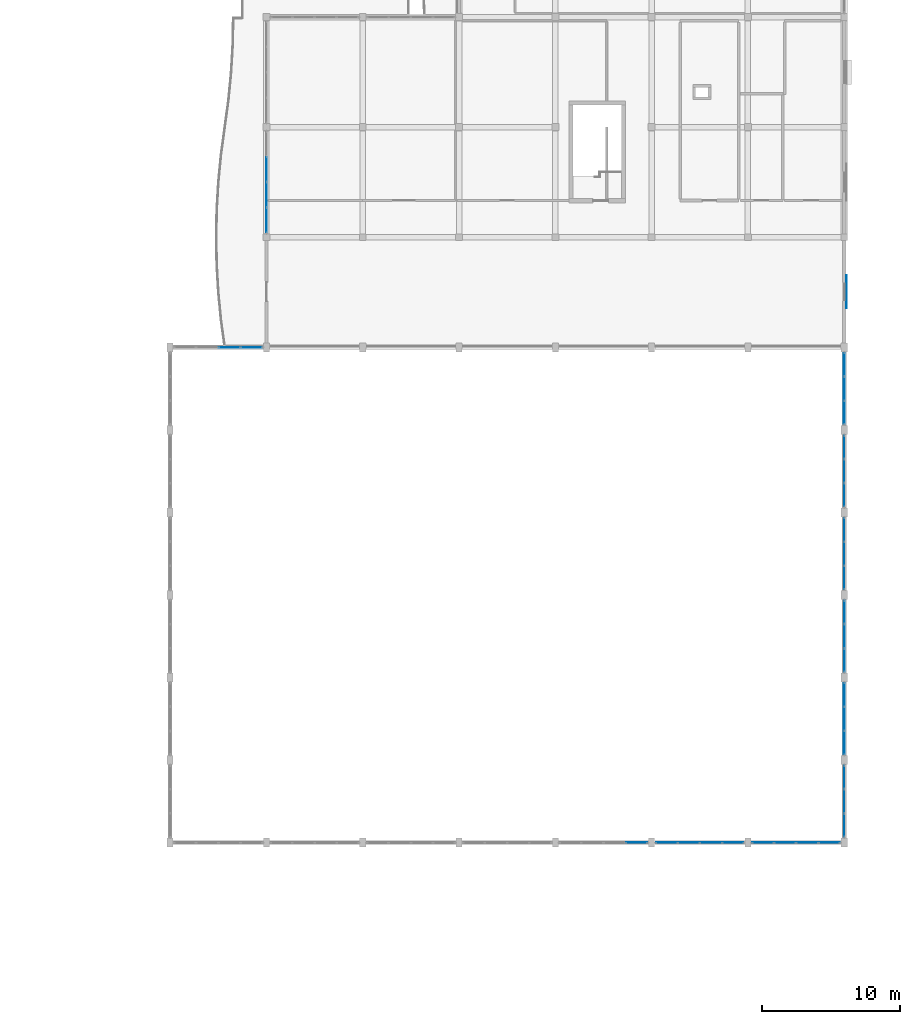
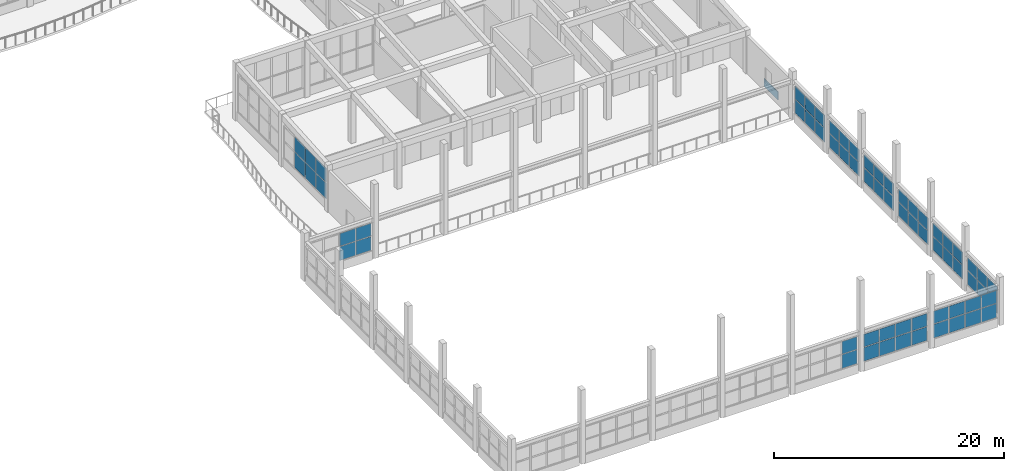
# One storey, part 52 of 89: 65 plates, 11 elements without a shape of their own.
"""IFC4 building model written with IfcOpenShell, lengths in metres."""

from ifc_helpers import new_model, si_unit, direction, frame, origin, origin_2d, place, context, subcontext, project, spatial, rectangle, extrude, material, layer, layer_set, type_object, element, aggregate, save


model = new_model("IFC4")

# Units and contexts
model_context = context("Model", 3, precision=1e-05, world=origin(), true_north=direction((0.0, 1.0)))
body_context = subcontext(model_context, "Body", "Model", "MODEL_VIEW")
ifc_project = project(units=[si_unit("LENGTHUNIT", "METRE"), si_unit("AREAUNIT", "SQUARE_METRE"), si_unit("VOLUMEUNIT", "CUBIC_METRE"), si_unit("PLANEANGLEUNIT", "RADIAN"), si_unit("MASSUNIT", "GRAM", prefix="KILO")], contexts=[model_context])

# Site, building, storey
site_placement = place(None, origin())
site = spatial("IfcSite", under=ifc_project, at=site_placement, CompositionType="ELEMENT")
building_placement = place(site_placement, origin())
building = spatial("IfcBuilding", under=site, at=building_placement, Name="Tonlespit Floodbar School", CompositionType="ELEMENT")
storey_placement = place(building_placement, frame((0.0, 0.0, 4.5)))
storey = spatial("IfcBuildingStorey", under=building, at=storey_placement, Name="L01", CompositionType="ELEMENT", Elevation=4.5)

# Curtain wall, plates
ifc_material_1 = material(Name="Anodised Aluminium", Category="aluminium")
ifc_layer_1 = layer(ifc_material_1, 0.159912109375)
ifc_layer_set_1 = layer_set([ifc_layer_1], Name="Anodised Aluminium")
curtain_wall_type_1 = type_object("IfcCurtainWallType", Name="CurtainWall_6450x3000", PredefinedType="NOTDEFINED", material=ifc_layer_set_1)
curtain_wall_1_placement = place(storey_placement, origin())
curtain_wall_1 = element("IfcCurtainWall", 1, at=curtain_wall_1_placement, inside=storey, type_object=curtain_wall_type_1, Name="L01 unitised curtain wall 0313", PredefinedType="NOTDEFINED")
ifc_material_2 = material(Name="Laminated Low-E Glass", Category="glass")
ifc_layer_2 = layer(ifc_material_2, 0.028076171875)
ifc_layer_set_2 = layer_set([ifc_layer_2], Name="Laminated Low-E Glass")
plate_type_1 = type_object("IfcPlateType", Name="CW_Panel_Glaz_28", PredefinedType="CURTAIN_PANEL", material=ifc_layer_set_2)
plate_1_placement = place(storey_placement, frame((160.909912109375, 20.0, 0.7548828125), z_axis=(0.0, 0.0, 1.0), x_axis=(-1.0, 0.0, 0.0)))
plate_1 = element("IfcPlate", 2, at=plate_1_placement, type_object=plate_type_1, Name="CW-49 panel 1.1", PredefinedType="CURTAIN_PANEL", context=body_context, shape_type="SweptSolid", body=[
    extrude(rectangle(XDim=1.52001953125, YDim=0.028076171875, at=origin_2d()), origin(), (0.0, 0.0, 1.0), 1.457275390625),
])
plate_2_placement = place(storey_placement, frame((160.909912109375, 20.0, 2.27734375), z_axis=(0.0, 0.0, 1.0), x_axis=(-1.0, 0.0, 0.0)))
plate_2 = element("IfcPlate", 3, at=plate_2_placement, type_object=plate_type_1, Name="CW-49 panel 1.2", PredefinedType="CURTAIN_PANEL", context=body_context, shape_type="SweptSolid", body=[
    extrude(rectangle(XDim=1.52001953125, YDim=0.028076171875, at=origin_2d()), origin(), (0.0, 0.0, 1.0), 1.337646484375),
])
aggregate(curtain_wall_1, [plate_1, plate_2])

ifc_layer_3 = layer(ifc_material_1, 0.159912109375)
ifc_layer_set_3 = layer_set([ifc_layer_3], Name="Anodised Aluminium")
curtain_wall_type_2 = type_object("IfcCurtainWallType", Name="CurtainWall_5250x3000", PredefinedType="NOTDEFINED", material=ifc_layer_set_3)
curtain_wall_2_placement = place(storey_placement, origin())
curtain_wall_2 = element("IfcCurtainWall", 4, at=curtain_wall_2_placement, inside=storey, type_object=curtain_wall_type_2, Name="L01 unitised curtain wall 0325", PredefinedType="NOTDEFINED")
plate_3_placement = place(storey_placement, frame((176.0, 48.740478515625, 0.7548828125), z_axis=(0.0, 0.0, 1.0), x_axis=(0.0, -1.0, 0.0)))
plate_3 = element("IfcPlate", 5, at=plate_3_placement, type_object=plate_type_1, Name="CW-50 panel 1.1", PredefinedType="CURTAIN_PANEL", context=body_context, shape_type="SweptSolid", body=[
    extrude(rectangle(XDim=1.6591796875, YDim=0.028076171875, at=origin_2d()), origin(), (0.0, 0.0, 1.0), 1.457275390625),
])
plate_4_placement = place(storey_placement, frame((176.0, 48.740478515625, 2.27734375), z_axis=(0.0, 0.0, 1.0), x_axis=(0.0, -1.0, 0.0)))
plate_4 = element("IfcPlate", 6, at=plate_4_placement, type_object=plate_type_1, Name="CW-50 panel 1.2", PredefinedType="CURTAIN_PANEL", context=body_context, shape_type="SweptSolid", body=[
    extrude(rectangle(XDim=1.6591796875, YDim=0.028076171875, at=origin_2d()), origin(), (0.0, 0.0, 1.0), 1.337646484375),
])
plate_5_placement = place(storey_placement, frame((176.0, 47.0, 0.7548828125), z_axis=(0.0, 0.0, 1.0), x_axis=(0.0, -1.0, 0.0)))
plate_5 = element("IfcPlate", 7, at=plate_5_placement, type_object=plate_type_1, Name="CW-50 panel 2.1", PredefinedType="CURTAIN_PANEL", context=body_context, shape_type="SweptSolid", body=[
    extrude(rectangle(XDim=1.691650390625, YDim=0.028076171875, at=origin_2d()), origin(), (0.0, 0.0, 1.0), 1.457275390625),
])
plate_6_placement = place(storey_placement, frame((176.0, 47.0, 2.27734375), z_axis=(0.0, 0.0, 1.0), x_axis=(0.0, -1.0, 0.0)))
plate_6 = element("IfcPlate", 8, at=plate_6_placement, type_object=plate_type_1, Name="CW-50 panel 2.2", PredefinedType="CURTAIN_PANEL", context=body_context, shape_type="SweptSolid", body=[
    extrude(rectangle(XDim=1.691650390625, YDim=0.028076171875, at=origin_2d()), origin(), (0.0, 0.0, 1.0), 1.337646484375),
])
plate_7_placement = place(storey_placement, frame((176.0, 45.259521484375, 0.7548828125), z_axis=(0.0, 0.0, 1.0), x_axis=(0.0, -1.0, 0.0)))
plate_7 = element("IfcPlate", 9, at=plate_7_placement, type_object=plate_type_1, Name="CW-50 panel 3.1", PredefinedType="CURTAIN_PANEL", context=body_context, shape_type="SweptSolid", body=[
    extrude(rectangle(XDim=1.6591796875, YDim=0.028076171875, at=origin_2d()), origin(), (0.0, 0.0, 1.0), 1.457275390625),
])
plate_8_placement = place(storey_placement, frame((176.0, 45.259521484375, 2.27734375), z_axis=(0.0, 0.0, 1.0), x_axis=(0.0, -1.0, 0.0)))
plate_8 = element("IfcPlate", 10, at=plate_8_placement, type_object=plate_type_1, Name="CW-50 panel 3.2", PredefinedType="CURTAIN_PANEL", context=body_context, shape_type="SweptSolid", body=[
    extrude(rectangle(XDim=1.6591796875, YDim=0.028076171875, at=origin_2d()), origin(), (0.0, 0.0, 1.0), 1.337646484375),
])
aggregate(curtain_wall_2, [plate_3, plate_4, plate_5, plate_6, plate_7, plate_8])

curtain_wall_3_placement = place(storey_placement, origin())
curtain_wall_3 = element("IfcCurtainWall", 11, at=curtain_wall_3_placement, inside=storey, type_object=curtain_wall_type_2, Name="L01 unitised curtain wall 0329", PredefinedType="NOTDEFINED")
plate_9_placement = place(storey_placement, frame((176.0, 24.740478515625, 0.7548828125), z_axis=(0.0, 0.0, 1.0), x_axis=(0.0, -1.0, 0.0)))
plate_9 = element("IfcPlate", 12, at=plate_9_placement, type_object=plate_type_1, Name="CW-50 panel 1.1", PredefinedType="CURTAIN_PANEL", context=body_context, shape_type="SweptSolid", body=[
    extrude(rectangle(XDim=1.6591796875, YDim=0.028076171875, at=origin_2d()), origin(), (0.0, 0.0, 1.0), 1.457275390625),
])
plate_10_placement = place(storey_placement, frame((176.0, 24.740478515625, 2.27734375), z_axis=(0.0, 0.0, 1.0), x_axis=(0.0, -1.0, 0.0)))
plate_10 = element("IfcPlate", 13, at=plate_10_placement, type_object=plate_type_1, Name="CW-50 panel 1.2", PredefinedType="CURTAIN_PANEL", context=body_context, shape_type="SweptSolid", body=[
    extrude(rectangle(XDim=1.6591796875, YDim=0.028076171875, at=origin_2d()), origin(), (0.0, 0.0, 1.0), 1.337646484375),
])
plate_11_placement = place(storey_placement, frame((176.0, 23.0, 0.7548828125), z_axis=(0.0, 0.0, 1.0), x_axis=(0.0, -1.0, 0.0)))
plate_11 = element("IfcPlate", 14, at=plate_11_placement, type_object=plate_type_1, Name="CW-50 panel 2.1", PredefinedType="CURTAIN_PANEL", context=body_context, shape_type="SweptSolid", body=[
    extrude(rectangle(XDim=1.691650390625, YDim=0.028076171875, at=origin_2d()), origin(), (0.0, 0.0, 1.0), 1.457275390625),
])
plate_12_placement = place(storey_placement, frame((176.0, 23.0, 2.27734375), z_axis=(0.0, 0.0, 1.0), x_axis=(0.0, -1.0, 0.0)))
plate_12 = element("IfcPlate", 15, at=plate_12_placement, type_object=plate_type_1, Name="CW-50 panel 2.2", PredefinedType="CURTAIN_PANEL", context=body_context, shape_type="SweptSolid", body=[
    extrude(rectangle(XDim=1.691650390625, YDim=0.028076171875, at=origin_2d()), origin(), (0.0, 0.0, 1.0), 1.337646484375),
])
plate_13_placement = place(storey_placement, frame((176.0, 21.259521484375, 0.7548828125), z_axis=(0.0, 0.0, 1.0), x_axis=(0.0, -1.0, 0.0)))
plate_13 = element("IfcPlate", 16, at=plate_13_placement, type_object=plate_type_1, Name="CW-50 panel 3.1", PredefinedType="CURTAIN_PANEL", context=body_context, shape_type="SweptSolid", body=[
    extrude(rectangle(XDim=1.6591796875, YDim=0.028076171875, at=origin_2d()), origin(), (0.0, 0.0, 1.0), 1.457275390625),
])
plate_14_placement = place(storey_placement, frame((176.0, 21.259521484375, 2.27734375), z_axis=(0.0, 0.0, 1.0), x_axis=(0.0, -1.0, 0.0)))
plate_14 = element("IfcPlate", 17, at=plate_14_placement, type_object=plate_type_1, Name="CW-50 panel 3.2", PredefinedType="CURTAIN_PANEL", context=body_context, shape_type="SweptSolid", body=[
    extrude(rectangle(XDim=1.6591796875, YDim=0.028076171875, at=origin_2d()), origin(), (0.0, 0.0, 1.0), 1.337646484375),
])
aggregate(curtain_wall_3, [plate_9, plate_10, plate_11, plate_12, plate_13, plate_14])

curtain_wall_4_placement = place(storey_placement, origin())
curtain_wall_4 = element("IfcCurtainWall", 18, at=curtain_wall_4_placement, inside=storey, type_object=curtain_wall_type_2, Name="L01 unitised curtain wall 0326", PredefinedType="NOTDEFINED")
ifc_layer_4 = layer(ifc_material_2, 0.031982421875)
ifc_layer_set_4 = layer_set([ifc_layer_4], Name="Laminated Low-E Glass")
plate_type_2 = type_object("IfcPlateType", Name="CW_Panel_Glaz_32", PredefinedType="CURTAIN_PANEL", material=ifc_layer_set_4)
plate_15_placement = place(storey_placement, frame((176.0, 42.740478515625, 0.7548828125), z_axis=(0.0, 0.0, 1.0), x_axis=(0.0, -1.0, 0.0)))
plate_15 = element("IfcPlate", 19, at=plate_15_placement, type_object=plate_type_2, Name="CW-50 panel 1.1", PredefinedType="CURTAIN_PANEL", context=body_context, shape_type="SweptSolid", body=[
    extrude(rectangle(XDim=1.6591796875, YDim=0.031982421875, at=origin_2d()), origin(), (0.0, 0.0, 1.0), 1.457275390625),
])
plate_16_placement = place(storey_placement, frame((176.0, 42.740478515625, 2.27734375), z_axis=(0.0, 0.0, 1.0), x_axis=(0.0, -1.0, 0.0)))
plate_16 = element("IfcPlate", 20, at=plate_16_placement, type_object=plate_type_2, Name="CW-50 panel 1.2", PredefinedType="CURTAIN_PANEL", context=body_context, shape_type="SweptSolid", body=[
    extrude(rectangle(XDim=1.6591796875, YDim=0.031982421875, at=origin_2d()), origin(), (0.0, 0.0, 1.0), 1.337646484375),
])
plate_17_placement = place(storey_placement, frame((176.0, 41.0, 0.7548828125), z_axis=(0.0, 0.0, 1.0), x_axis=(0.0, -1.0, 0.0)))
plate_17 = element("IfcPlate", 21, at=plate_17_placement, type_object=plate_type_2, Name="CW-50 panel 2.1", PredefinedType="CURTAIN_PANEL", context=body_context, shape_type="SweptSolid", body=[
    extrude(rectangle(XDim=1.691650390625, YDim=0.031982421875, at=origin_2d()), origin(), (0.0, 0.0, 1.0), 1.457275390625),
])
plate_18_placement = place(storey_placement, frame((176.0, 41.0, 2.27734375), z_axis=(0.0, 0.0, 1.0), x_axis=(0.0, -1.0, 0.0)))
plate_18 = element("IfcPlate", 22, at=plate_18_placement, type_object=plate_type_2, Name="CW-50 panel 2.2", PredefinedType="CURTAIN_PANEL", context=body_context, shape_type="SweptSolid", body=[
    extrude(rectangle(XDim=1.691650390625, YDim=0.031982421875, at=origin_2d()), origin(), (0.0, 0.0, 1.0), 1.337646484375),
])
plate_19_placement = place(storey_placement, frame((176.0, 39.259521484375, 0.7548828125), z_axis=(0.0, 0.0, 1.0), x_axis=(0.0, -1.0, 0.0)))
plate_19 = element("IfcPlate", 23, at=plate_19_placement, type_object=plate_type_2, Name="CW-50 panel 3.1", PredefinedType="CURTAIN_PANEL", context=body_context, shape_type="SweptSolid", body=[
    extrude(rectangle(XDim=1.6591796875, YDim=0.031982421875, at=origin_2d()), origin(), (0.0, 0.0, 1.0), 1.457275390625),
])
plate_20_placement = place(storey_placement, frame((176.0, 39.259521484375, 2.27734375), z_axis=(0.0, 0.0, 1.0), x_axis=(0.0, -1.0, 0.0)))
plate_20 = element("IfcPlate", 24, at=plate_20_placement, type_object=plate_type_2, Name="CW-50 panel 3.2", PredefinedType="CURTAIN_PANEL", context=body_context, shape_type="SweptSolid", body=[
    extrude(rectangle(XDim=1.6591796875, YDim=0.031982421875, at=origin_2d()), origin(), (0.0, 0.0, 1.0), 1.337646484375),
])
aggregate(curtain_wall_4, [plate_15, plate_16, plate_17, plate_18, plate_19, plate_20])

curtain_wall_5_placement = place(storey_placement, origin())
curtain_wall_5 = element("IfcCurtainWall", 25, at=curtain_wall_5_placement, inside=storey, type_object=curtain_wall_type_1, Name="L01 unitised curtain wall 0311", PredefinedType="NOTDEFINED")
ifc_layer_5 = layer(ifc_material_2, 0.035888671875)
ifc_layer_set_5 = layer_set([ifc_layer_5], Name="Laminated Low-E Glass")
plate_type_3 = type_object("IfcPlateType", Name="CW_Panel_Glaz_36", PredefinedType="CURTAIN_PANEL", material=ifc_layer_set_5)
plate_21_placement = place(storey_placement, frame((174.909912109375, 20.0, 0.7548828125), z_axis=(0.0, 0.0, 1.0), x_axis=(-1.0, 0.0, 0.0)))
plate_21 = element("IfcPlate", 26, at=plate_21_placement, type_object=plate_type_3, Name="CW-49 panel 1.1", PredefinedType="CURTAIN_PANEL", context=body_context, shape_type="SweptSolid", body=[
    extrude(rectangle(XDim=1.52001953125, YDim=0.035888671875, at=origin_2d()), origin(), (0.0, 0.0, 1.0), 1.457275390625),
])
plate_22_placement = place(storey_placement, frame((174.909912109375, 20.0, 2.27734375), z_axis=(0.0, 0.0, 1.0), x_axis=(-1.0, 0.0, 0.0)))
plate_22 = element("IfcPlate", 27, at=plate_22_placement, type_object=plate_type_3, Name="CW-49 panel 1.2", PredefinedType="CURTAIN_PANEL", context=body_context, shape_type="SweptSolid", body=[
    extrude(rectangle(XDim=1.52001953125, YDim=0.035888671875, at=origin_2d()), origin(), (0.0, 0.0, 1.0), 1.337646484375),
])
plate_23_placement = place(storey_placement, frame((173.308837890625, 20.0, 0.7548828125), z_axis=(0.0, 0.0, 1.0), x_axis=(-1.0, 0.0, 0.0)))
plate_23 = element("IfcPlate", 28, at=plate_23_placement, type_object=plate_type_3, Name="CW-49 panel 2.1", PredefinedType="CURTAIN_PANEL", context=body_context, shape_type="SweptSolid", body=[
    extrude(rectangle(XDim=1.552490234375, YDim=0.035888671875, at=origin_2d()), origin(), (0.0, 0.0, 1.0), 1.457275390625),
])
plate_24_placement = place(storey_placement, frame((173.308837890625, 20.0, 2.27734375), z_axis=(0.0, 0.0, 1.0), x_axis=(-1.0, 0.0, 0.0)))
plate_24 = element("IfcPlate", 29, at=plate_24_placement, type_object=plate_type_3, Name="CW-49 panel 2.2", PredefinedType="CURTAIN_PANEL", context=body_context, shape_type="SweptSolid", body=[
    extrude(rectangle(XDim=1.552490234375, YDim=0.035888671875, at=origin_2d()), origin(), (0.0, 0.0, 1.0), 1.337646484375),
])
plate_25_placement = place(storey_placement, frame((171.691162109375, 20.0, 0.7548828125), z_axis=(0.0, 0.0, 1.0), x_axis=(-1.0, 0.0, 0.0)))
plate_25 = element("IfcPlate", 30, at=plate_25_placement, type_object=plate_type_3, Name="CW-49 panel 3.1", PredefinedType="CURTAIN_PANEL", context=body_context, shape_type="SweptSolid", body=[
    extrude(rectangle(XDim=1.552490234375, YDim=0.035888671875, at=origin_2d()), origin(), (0.0, 0.0, 1.0), 1.457275390625),
])
plate_26_placement = place(storey_placement, frame((171.691162109375, 20.0, 2.27734375), z_axis=(0.0, 0.0, 1.0), x_axis=(-1.0, 0.0, 0.0)))
plate_26 = element("IfcPlate", 31, at=plate_26_placement, type_object=plate_type_3, Name="CW-49 panel 3.2", PredefinedType="CURTAIN_PANEL", context=body_context, shape_type="SweptSolid", body=[
    extrude(rectangle(XDim=1.552490234375, YDim=0.035888671875, at=origin_2d()), origin(), (0.0, 0.0, 1.0), 1.337646484375),
])
plate_27_placement = place(storey_placement, frame((170.090087890625, 20.0, 0.7548828125), z_axis=(0.0, 0.0, 1.0), x_axis=(-1.0, 0.0, 0.0)))
plate_27 = element("IfcPlate", 32, at=plate_27_placement, type_object=plate_type_3, Name="CW-49 panel 4.1", PredefinedType="CURTAIN_PANEL", context=body_context, shape_type="SweptSolid", body=[
    extrude(rectangle(XDim=1.52001953125, YDim=0.035888671875, at=origin_2d()), origin(), (0.0, 0.0, 1.0), 1.457275390625),
])
plate_28_placement = place(storey_placement, frame((170.090087890625, 20.0, 2.27734375), z_axis=(0.0, 0.0, 1.0), x_axis=(-1.0, 0.0, 0.0)))
plate_28 = element("IfcPlate", 33, at=plate_28_placement, type_object=plate_type_3, Name="CW-49 panel 4.2", PredefinedType="CURTAIN_PANEL", context=body_context, shape_type="SweptSolid", body=[
    extrude(rectangle(XDim=1.52001953125, YDim=0.035888671875, at=origin_2d()), origin(), (0.0, 0.0, 1.0), 1.337646484375),
])
aggregate(curtain_wall_5, [plate_21, plate_22, plate_23, plate_24, plate_25, plate_26, plate_27, plate_28])

curtain_wall_6_placement = place(storey_placement, origin())
curtain_wall_6 = element("IfcCurtainWall", 34, at=curtain_wall_6_placement, inside=storey, type_object=curtain_wall_type_2, Name="L01 unitised curtain wall 0327", PredefinedType="NOTDEFINED")
plate_29_placement = place(storey_placement, frame((176.0, 36.740478515625, 0.7548828125), z_axis=(0.0, 0.0, 1.0), x_axis=(0.0, -1.0, 0.0)))
plate_29 = element("IfcPlate", 35, at=plate_29_placement, type_object=plate_type_3, Name="CW-50 panel 1.1", PredefinedType="CURTAIN_PANEL", context=body_context, shape_type="SweptSolid", body=[
    extrude(rectangle(XDim=1.6591796875, YDim=0.035888671875, at=origin_2d()), origin(), (0.0, 0.0, 1.0), 1.457275390625),
])
plate_30_placement = place(storey_placement, frame((176.0, 36.740478515625, 2.27734375), z_axis=(0.0, 0.0, 1.0), x_axis=(0.0, -1.0, 0.0)))
plate_30 = element("IfcPlate", 36, at=plate_30_placement, type_object=plate_type_3, Name="CW-50 panel 1.2", PredefinedType="CURTAIN_PANEL", context=body_context, shape_type="SweptSolid", body=[
    extrude(rectangle(XDim=1.6591796875, YDim=0.035888671875, at=origin_2d()), origin(), (0.0, 0.0, 1.0), 1.337646484375),
])
plate_31_placement = place(storey_placement, frame((176.0, 35.0, 0.7548828125), z_axis=(0.0, 0.0, 1.0), x_axis=(0.0, -1.0, 0.0)))
plate_31 = element("IfcPlate", 37, at=plate_31_placement, type_object=plate_type_3, Name="CW-50 panel 2.1", PredefinedType="CURTAIN_PANEL", context=body_context, shape_type="SweptSolid", body=[
    extrude(rectangle(XDim=1.691650390625, YDim=0.035888671875, at=origin_2d()), origin(), (0.0, 0.0, 1.0), 1.457275390625),
])
plate_32_placement = place(storey_placement, frame((176.0, 35.0, 2.27734375), z_axis=(0.0, 0.0, 1.0), x_axis=(0.0, -1.0, 0.0)))
plate_32 = element("IfcPlate", 38, at=plate_32_placement, type_object=plate_type_3, Name="CW-50 panel 2.2", PredefinedType="CURTAIN_PANEL", context=body_context, shape_type="SweptSolid", body=[
    extrude(rectangle(XDim=1.691650390625, YDim=0.035888671875, at=origin_2d()), origin(), (0.0, 0.0, 1.0), 1.337646484375),
])
plate_33_placement = place(storey_placement, frame((176.0, 33.259521484375, 0.7548828125), z_axis=(0.0, 0.0, 1.0), x_axis=(0.0, -1.0, 0.0)))
plate_33 = element("IfcPlate", 39, at=plate_33_placement, type_object=plate_type_3, Name="CW-50 panel 3.1", PredefinedType="CURTAIN_PANEL", context=body_context, shape_type="SweptSolid", body=[
    extrude(rectangle(XDim=1.6591796875, YDim=0.035888671875, at=origin_2d()), origin(), (0.0, 0.0, 1.0), 1.457275390625),
])
plate_34_placement = place(storey_placement, frame((176.0, 33.259521484375, 2.27734375), z_axis=(0.0, 0.0, 1.0), x_axis=(0.0, -1.0, 0.0)))
plate_34 = element("IfcPlate", 40, at=plate_34_placement, type_object=plate_type_3, Name="CW-50 panel 3.2", PredefinedType="CURTAIN_PANEL", context=body_context, shape_type="SweptSolid", body=[
    extrude(rectangle(XDim=1.6591796875, YDim=0.035888671875, at=origin_2d()), origin(), (0.0, 0.0, 1.0), 1.337646484375),
])
aggregate(curtain_wall_6, [plate_29, plate_30, plate_31, plate_32, plate_33, plate_34])

curtain_wall_7_placement = place(storey_placement, origin())
curtain_wall_7 = element("IfcCurtainWall", 41, at=curtain_wall_7_placement, inside=storey, type_object=curtain_wall_type_1, Name="L01 unitised curtain wall 0331", PredefinedType="NOTDEFINED")
plate_35_placement = place(storey_placement, frame((131.308837890625, 56.0, 0.7548828125), z_axis=(0.0, 0.0, 1.0), x_axis=(1.0, 0.0, 0.0)))
plate_35 = element("IfcPlate", 42, at=plate_35_placement, type_object=plate_type_3, Name="CW-49 panel 3.1", PredefinedType="CURTAIN_PANEL", context=body_context, shape_type="SweptSolid", body=[
    extrude(rectangle(XDim=1.552490234375, YDim=0.035888671875, at=origin_2d()), origin(), (0.0, 0.0, 1.0), 1.457275390625),
])
plate_36_placement = place(storey_placement, frame((131.308837890625, 56.0, 2.27734375), z_axis=(0.0, 0.0, 1.0), x_axis=(1.0, 0.0, 0.0)))
plate_36 = element("IfcPlate", 43, at=plate_36_placement, type_object=plate_type_3, Name="CW-49 panel 3.2", PredefinedType="CURTAIN_PANEL", context=body_context, shape_type="SweptSolid", body=[
    extrude(rectangle(XDim=1.552490234375, YDim=0.035888671875, at=origin_2d()), origin(), (0.0, 0.0, 1.0), 1.337646484375),
])
plate_37_placement = place(storey_placement, frame((132.909912109375, 56.0, 0.7548828125), z_axis=(0.0, 0.0, 1.0), x_axis=(1.0, 0.0, 0.0)))
plate_37 = element("IfcPlate", 44, at=plate_37_placement, type_object=plate_type_3, Name="CW-49 panel 4.1", PredefinedType="CURTAIN_PANEL", context=body_context, shape_type="SweptSolid", body=[
    extrude(rectangle(XDim=1.52001953125, YDim=0.035888671875, at=origin_2d()), origin(), (0.0, 0.0, 1.0), 1.457275390625),
])
plate_38_placement = place(storey_placement, frame((132.909912109375, 56.0, 2.27734375), z_axis=(0.0, 0.0, 1.0), x_axis=(1.0, 0.0, 0.0)))
plate_38 = element("IfcPlate", 45, at=plate_38_placement, type_object=plate_type_3, Name="CW-49 panel 4.2", PredefinedType="CURTAIN_PANEL", context=body_context, shape_type="SweptSolid", body=[
    extrude(rectangle(XDim=1.52001953125, YDim=0.035888671875, at=origin_2d()), origin(), (0.0, 0.0, 1.0), 1.337646484375),
])
aggregate(curtain_wall_7, [plate_35, plate_36, plate_37, plate_38])

ifc_layer_6 = layer(ifc_material_1, 0.159912109375)
ifc_layer_set_6 = layer_set([ifc_layer_6], Name="Anodised Aluminium")
curtain_wall_type_3 = type_object("IfcCurtainWallType", Name="CurtainWall_7400x3350", PredefinedType="NOTDEFINED", material=ifc_layer_set_6)
curtain_wall_8_placement = place(storey_placement, origin())
curtain_wall_8 = element("IfcCurtainWall", 46, at=curtain_wall_8_placement, inside=storey, type_object=curtain_wall_type_3, Name="L01 unitised curtain wall 0335", PredefinedType="NOTDEFINED")
plate_39_placement = place(storey_placement, frame((134.0, 65.233642578125, 1.01513671875), z_axis=(0.0, 0.0, 1.0), x_axis=(0.0, 1.0, 0.0)))
plate_39 = element("IfcPlate", 47, at=plate_39_placement, type_object=plate_type_3, Name="CW-54 panel 1.1", PredefinedType="CURTAIN_PANEL", context=body_context, shape_type="SweptSolid", body=[
    extrude(rectangle(XDim=1.757568359375, YDim=0.035888671875, at=origin_2d()), origin(), (0.0, 0.0, 1.0), 1.65673828125),
])
plate_40_placement = place(storey_placement, frame((134.0, 65.233642578125, 2.73681640625), z_axis=(0.0, 0.0, 1.0), x_axis=(0.0, 1.0, 0.0)))
plate_40 = element("IfcPlate", 48, at=plate_40_placement, type_object=plate_type_3, Name="CW-54 panel 1.2", PredefinedType="CURTAIN_PANEL", context=body_context, shape_type="SweptSolid", body=[
    extrude(rectangle(XDim=1.757568359375, YDim=0.035888671875, at=origin_2d()), origin(), (0.0, 0.0, 1.0), 1.52197265625),
])
plate_41_placement = place(storey_placement, frame((134.0, 67.072509765625, 1.01513671875), z_axis=(0.0, 0.0, 1.0), x_axis=(0.0, 1.0, 0.0)))
plate_41 = element("IfcPlate", 49, at=plate_41_placement, type_object=plate_type_3, Name="CW-54 panel 2.1", PredefinedType="CURTAIN_PANEL", context=body_context, shape_type="SweptSolid", body=[
    extrude(rectangle(XDim=1.7900390625, YDim=0.035888671875, at=origin_2d()), origin(), (0.0, 0.0, 1.0), 1.65673828125),
])
plate_42_placement = place(storey_placement, frame((134.0, 67.072509765625, 2.73681640625), z_axis=(0.0, 0.0, 1.0), x_axis=(0.0, 1.0, 0.0)))
plate_42 = element("IfcPlate", 50, at=plate_42_placement, type_object=plate_type_3, Name="CW-54 panel 2.2", PredefinedType="CURTAIN_PANEL", context=body_context, shape_type="SweptSolid", body=[
    extrude(rectangle(XDim=1.7900390625, YDim=0.035888671875, at=origin_2d()), origin(), (0.0, 0.0, 1.0), 1.52197265625),
])
plate_43_placement = place(storey_placement, frame((134.0, 68.927490234375, 1.01513671875), z_axis=(0.0, 0.0, 1.0), x_axis=(0.0, 1.0, 0.0)))
plate_43 = element("IfcPlate", 51, at=plate_43_placement, type_object=plate_type_3, Name="CW-54 panel 3.1", PredefinedType="CURTAIN_PANEL", context=body_context, shape_type="SweptSolid", body=[
    extrude(rectangle(XDim=1.7900390625, YDim=0.035888671875, at=origin_2d()), origin(), (0.0, 0.0, 1.0), 1.65673828125),
])
plate_44_placement = place(storey_placement, frame((134.0, 68.927490234375, 2.73681640625), z_axis=(0.0, 0.0, 1.0), x_axis=(0.0, 1.0, 0.0)))
plate_44 = element("IfcPlate", 52, at=plate_44_placement, type_object=plate_type_3, Name="CW-54 panel 3.2", PredefinedType="CURTAIN_PANEL", context=body_context, shape_type="SweptSolid", body=[
    extrude(rectangle(XDim=1.7900390625, YDim=0.035888671875, at=origin_2d()), origin(), (0.0, 0.0, 1.0), 1.52197265625),
])
aggregate(curtain_wall_8, [plate_39, plate_40, plate_41, plate_42, plate_43, plate_44])

curtain_wall_9_placement = place(storey_placement, origin())
curtain_wall_9 = element("IfcCurtainWall", 53, at=curtain_wall_9_placement, inside=storey, type_object=curtain_wall_type_1, Name="L01 unitised curtain wall 0312", PredefinedType="NOTDEFINED")
ifc_layer_7 = layer(ifc_material_2, 0.0419921875)
ifc_layer_set_7 = layer_set([ifc_layer_7], Name="Laminated Low-E Glass")
plate_type_4 = type_object("IfcPlateType", Name="CW_Panel_Glaz_42", PredefinedType="CURTAIN_PANEL", material=ifc_layer_set_7)
plate_45_placement = place(storey_placement, frame((167.909912109375, 20.0, 0.7548828125), z_axis=(0.0, 0.0, 1.0), x_axis=(-1.0, 0.0, 0.0)))
plate_45 = element("IfcPlate", 54, at=plate_45_placement, type_object=plate_type_4, Name="CW-49 panel 1.1", PredefinedType="CURTAIN_PANEL", context=body_context, shape_type="SweptSolid", body=[
    extrude(rectangle(XDim=1.52001953125, YDim=0.0419921875, at=origin_2d()), origin(), (0.0, 0.0, 1.0), 1.457275390625),
])
plate_46_placement = place(storey_placement, frame((167.909912109375, 20.0, 2.27734375), z_axis=(0.0, 0.0, 1.0), x_axis=(-1.0, 0.0, 0.0)))
plate_46 = element("IfcPlate", 55, at=plate_46_placement, type_object=plate_type_4, Name="CW-49 panel 1.2", PredefinedType="CURTAIN_PANEL", context=body_context, shape_type="SweptSolid", body=[
    extrude(rectangle(XDim=1.52001953125, YDim=0.0419921875, at=origin_2d()), origin(), (0.0, 0.0, 1.0), 1.337646484375),
])
plate_47_placement = place(storey_placement, frame((166.308837890625, 20.0, 0.7548828125), z_axis=(0.0, 0.0, 1.0), x_axis=(-1.0, 0.0, 0.0)))
plate_47 = element("IfcPlate", 56, at=plate_47_placement, type_object=plate_type_4, Name="CW-49 panel 2.1", PredefinedType="CURTAIN_PANEL", context=body_context, shape_type="SweptSolid", body=[
    extrude(rectangle(XDim=1.552490234375, YDim=0.0419921875, at=origin_2d()), origin(), (0.0, 0.0, 1.0), 1.457275390625),
])
plate_48_placement = place(storey_placement, frame((166.308837890625, 20.0, 2.27734375), z_axis=(0.0, 0.0, 1.0), x_axis=(-1.0, 0.0, 0.0)))
plate_48 = element("IfcPlate", 57, at=plate_48_placement, type_object=plate_type_4, Name="CW-49 panel 2.2", PredefinedType="CURTAIN_PANEL", context=body_context, shape_type="SweptSolid", body=[
    extrude(rectangle(XDim=1.552490234375, YDim=0.0419921875, at=origin_2d()), origin(), (0.0, 0.0, 1.0), 1.337646484375),
])
plate_49_placement = place(storey_placement, frame((164.691162109375, 20.0, 0.7548828125), z_axis=(0.0, 0.0, 1.0), x_axis=(-1.0, 0.0, 0.0)))
plate_49 = element("IfcPlate", 58, at=plate_49_placement, type_object=plate_type_4, Name="CW-49 panel 3.1", PredefinedType="CURTAIN_PANEL", context=body_context, shape_type="SweptSolid", body=[
    extrude(rectangle(XDim=1.552490234375, YDim=0.0419921875, at=origin_2d()), origin(), (0.0, 0.0, 1.0), 1.457275390625),
])
plate_50_placement = place(storey_placement, frame((164.691162109375, 20.0, 2.27734375), z_axis=(0.0, 0.0, 1.0), x_axis=(-1.0, 0.0, 0.0)))
plate_50 = element("IfcPlate", 59, at=plate_50_placement, type_object=plate_type_4, Name="CW-49 panel 3.2", PredefinedType="CURTAIN_PANEL", context=body_context, shape_type="SweptSolid", body=[
    extrude(rectangle(XDim=1.552490234375, YDim=0.0419921875, at=origin_2d()), origin(), (0.0, 0.0, 1.0), 1.337646484375),
])
plate_51_placement = place(storey_placement, frame((163.090087890625, 20.0, 0.7548828125), z_axis=(0.0, 0.0, 1.0), x_axis=(-1.0, 0.0, 0.0)))
plate_51 = element("IfcPlate", 60, at=plate_51_placement, type_object=plate_type_4, Name="CW-49 panel 4.1", PredefinedType="CURTAIN_PANEL", context=body_context, shape_type="SweptSolid", body=[
    extrude(rectangle(XDim=1.52001953125, YDim=0.0419921875, at=origin_2d()), origin(), (0.0, 0.0, 1.0), 1.457275390625),
])
plate_52_placement = place(storey_placement, frame((163.090087890625, 20.0, 2.27734375), z_axis=(0.0, 0.0, 1.0), x_axis=(-1.0, 0.0, 0.0)))
plate_52 = element("IfcPlate", 61, at=plate_52_placement, type_object=plate_type_4, Name="CW-49 panel 4.2", PredefinedType="CURTAIN_PANEL", context=body_context, shape_type="SweptSolid", body=[
    extrude(rectangle(XDim=1.52001953125, YDim=0.0419921875, at=origin_2d()), origin(), (0.0, 0.0, 1.0), 1.337646484375),
])
aggregate(curtain_wall_9, [plate_45, plate_46, plate_47, plate_48, plate_49, plate_50, plate_51, plate_52])

curtain_wall_10_placement = place(storey_placement, origin())
curtain_wall_10 = element("IfcCurtainWall", 62, at=curtain_wall_10_placement, inside=storey, type_object=curtain_wall_type_2, Name="L01 unitised curtain wall 0324", PredefinedType="NOTDEFINED")
plate_53_placement = place(storey_placement, frame((176.0, 54.740478515625, 0.7548828125), z_axis=(0.0, 0.0, 1.0), x_axis=(0.0, -1.0, 0.0)))
plate_53 = element("IfcPlate", 63, at=plate_53_placement, type_object=plate_type_4, Name="CW-50 panel 1.1", PredefinedType="CURTAIN_PANEL", context=body_context, shape_type="SweptSolid", body=[
    extrude(rectangle(XDim=1.6591796875, YDim=0.0419921875, at=origin_2d()), origin(), (0.0, 0.0, 1.0), 1.457275390625),
])
plate_54_placement = place(storey_placement, frame((176.0, 54.740478515625, 2.27734375), z_axis=(0.0, 0.0, 1.0), x_axis=(0.0, -1.0, 0.0)))
plate_54 = element("IfcPlate", 64, at=plate_54_placement, type_object=plate_type_4, Name="CW-50 panel 1.2", PredefinedType="CURTAIN_PANEL", context=body_context, shape_type="SweptSolid", body=[
    extrude(rectangle(XDim=1.6591796875, YDim=0.0419921875, at=origin_2d()), origin(), (0.0, 0.0, 1.0), 1.337646484375),
])
plate_55_placement = place(storey_placement, frame((176.0, 53.0, 0.7548828125), z_axis=(0.0, 0.0, 1.0), x_axis=(0.0, -1.0, 0.0)))
plate_55 = element("IfcPlate", 65, at=plate_55_placement, type_object=plate_type_4, Name="CW-50 panel 2.1", PredefinedType="CURTAIN_PANEL", context=body_context, shape_type="SweptSolid", body=[
    extrude(rectangle(XDim=1.691650390625, YDim=0.0419921875, at=origin_2d()), origin(), (0.0, 0.0, 1.0), 1.457275390625),
])
plate_56_placement = place(storey_placement, frame((176.0, 53.0, 2.27734375), z_axis=(0.0, 0.0, 1.0), x_axis=(0.0, -1.0, 0.0)))
plate_56 = element("IfcPlate", 66, at=plate_56_placement, type_object=plate_type_4, Name="CW-50 panel 2.2", PredefinedType="CURTAIN_PANEL", context=body_context, shape_type="SweptSolid", body=[
    extrude(rectangle(XDim=1.691650390625, YDim=0.0419921875, at=origin_2d()), origin(), (0.0, 0.0, 1.0), 1.337646484375),
])
plate_57_placement = place(storey_placement, frame((176.0, 51.259521484375, 0.7548828125), z_axis=(0.0, 0.0, 1.0), x_axis=(0.0, -1.0, 0.0)))
plate_57 = element("IfcPlate", 67, at=plate_57_placement, type_object=plate_type_4, Name="CW-50 panel 3.1", PredefinedType="CURTAIN_PANEL", context=body_context, shape_type="SweptSolid", body=[
    extrude(rectangle(XDim=1.6591796875, YDim=0.0419921875, at=origin_2d()), origin(), (0.0, 0.0, 1.0), 1.457275390625),
])
plate_58_placement = place(storey_placement, frame((176.0, 51.259521484375, 2.27734375), z_axis=(0.0, 0.0, 1.0), x_axis=(0.0, -1.0, 0.0)))
plate_58 = element("IfcPlate", 68, at=plate_58_placement, type_object=plate_type_4, Name="CW-50 panel 3.2", PredefinedType="CURTAIN_PANEL", context=body_context, shape_type="SweptSolid", body=[
    extrude(rectangle(XDim=1.6591796875, YDim=0.0419921875, at=origin_2d()), origin(), (0.0, 0.0, 1.0), 1.337646484375),
])
aggregate(curtain_wall_10, [plate_53, plate_54, plate_55, plate_56, plate_57, plate_58])

curtain_wall_11_placement = place(storey_placement, origin())
curtain_wall_11 = element("IfcCurtainWall", 69, at=curtain_wall_11_placement, inside=storey, type_object=curtain_wall_type_2, Name="L01 unitised curtain wall 0328", PredefinedType="NOTDEFINED")
plate_59_placement = place(storey_placement, frame((176.0, 30.740478515625, 0.7548828125), z_axis=(0.0, 0.0, 1.0), x_axis=(0.0, -1.0, 0.0)))
plate_59 = element("IfcPlate", 70, at=plate_59_placement, type_object=plate_type_4, Name="CW-50 panel 1.1", PredefinedType="CURTAIN_PANEL", context=body_context, shape_type="SweptSolid", body=[
    extrude(rectangle(XDim=1.6591796875, YDim=0.0419921875, at=origin_2d()), origin(), (0.0, 0.0, 1.0), 1.457275390625),
])
plate_60_placement = place(storey_placement, frame((176.0, 30.740478515625, 2.27734375), z_axis=(0.0, 0.0, 1.0), x_axis=(0.0, -1.0, 0.0)))
plate_60 = element("IfcPlate", 71, at=plate_60_placement, type_object=plate_type_4, Name="CW-50 panel 1.2", PredefinedType="CURTAIN_PANEL", context=body_context, shape_type="SweptSolid", body=[
    extrude(rectangle(XDim=1.6591796875, YDim=0.0419921875, at=origin_2d()), origin(), (0.0, 0.0, 1.0), 1.337646484375),
])
plate_61_placement = place(storey_placement, frame((176.0, 29.0, 0.7548828125), z_axis=(0.0, 0.0, 1.0), x_axis=(0.0, -1.0, 0.0)))
plate_61 = element("IfcPlate", 72, at=plate_61_placement, type_object=plate_type_4, Name="CW-50 panel 2.1", PredefinedType="CURTAIN_PANEL", context=body_context, shape_type="SweptSolid", body=[
    extrude(rectangle(XDim=1.691650390625, YDim=0.0419921875, at=origin_2d()), origin(), (0.0, 0.0, 1.0), 1.457275390625),
])
plate_62_placement = place(storey_placement, frame((176.0, 29.0, 2.27734375), z_axis=(0.0, 0.0, 1.0), x_axis=(0.0, -1.0, 0.0)))
plate_62 = element("IfcPlate", 73, at=plate_62_placement, type_object=plate_type_4, Name="CW-50 panel 2.2", PredefinedType="CURTAIN_PANEL", context=body_context, shape_type="SweptSolid", body=[
    extrude(rectangle(XDim=1.691650390625, YDim=0.0419921875, at=origin_2d()), origin(), (0.0, 0.0, 1.0), 1.337646484375),
])
plate_63_placement = place(storey_placement, frame((176.0, 27.259521484375, 0.7548828125), z_axis=(0.0, 0.0, 1.0), x_axis=(0.0, -1.0, 0.0)))
plate_63 = element("IfcPlate", 74, at=plate_63_placement, type_object=plate_type_4, Name="CW-50 panel 3.1", PredefinedType="CURTAIN_PANEL", context=body_context, shape_type="SweptSolid", body=[
    extrude(rectangle(XDim=1.6591796875, YDim=0.0419921875, at=origin_2d()), origin(), (0.0, 0.0, 1.0), 1.457275390625),
])
plate_64_placement = place(storey_placement, frame((176.0, 27.259521484375, 2.27734375), z_axis=(0.0, 0.0, 1.0), x_axis=(0.0, -1.0, 0.0)))
plate_64 = element("IfcPlate", 75, at=plate_64_placement, type_object=plate_type_4, Name="CW-50 panel 3.2", PredefinedType="CURTAIN_PANEL", context=body_context, shape_type="SweptSolid", body=[
    extrude(rectangle(XDim=1.6591796875, YDim=0.0419921875, at=origin_2d()), origin(), (0.0, 0.0, 1.0), 1.337646484375),
])
aggregate(curtain_wall_11, [plate_59, plate_60, plate_61, plate_62, plate_63, plate_64])

# Plate
ifc_layer_8 = layer(ifc_material_1, 0.050048828125)
ifc_layer_set_8 = layer_set([ifc_layer_8], Name="Anodised Aluminium")
plate_type_5 = type_object("IfcPlateType", Name="FacadeCassette_03", PredefinedType="SHEET", material=ifc_layer_set_8)
plate_65_placement = place(storey_placement, frame((176.160400390625, 60.03759765625, 0.094970703125), z_axis=(0.0, 0.0, 1.0), x_axis=(0.0, -1.0, 0.0)))
element("IfcPlate", 76, at=plate_65_placement, inside=storey, type_object=plate_type_5, Name="L01 folded rainscreen cassette 027", PredefinedType="SHEET", context=body_context, shape_type="SweptSolid", body=[
    extrude(rectangle(XDim=2.39990234375, YDim=0.050048828125, at=origin_2d()), origin(), (0.0, 0.0, 1.0), 0.85009765625),
])

save(model, "model.ifc")
